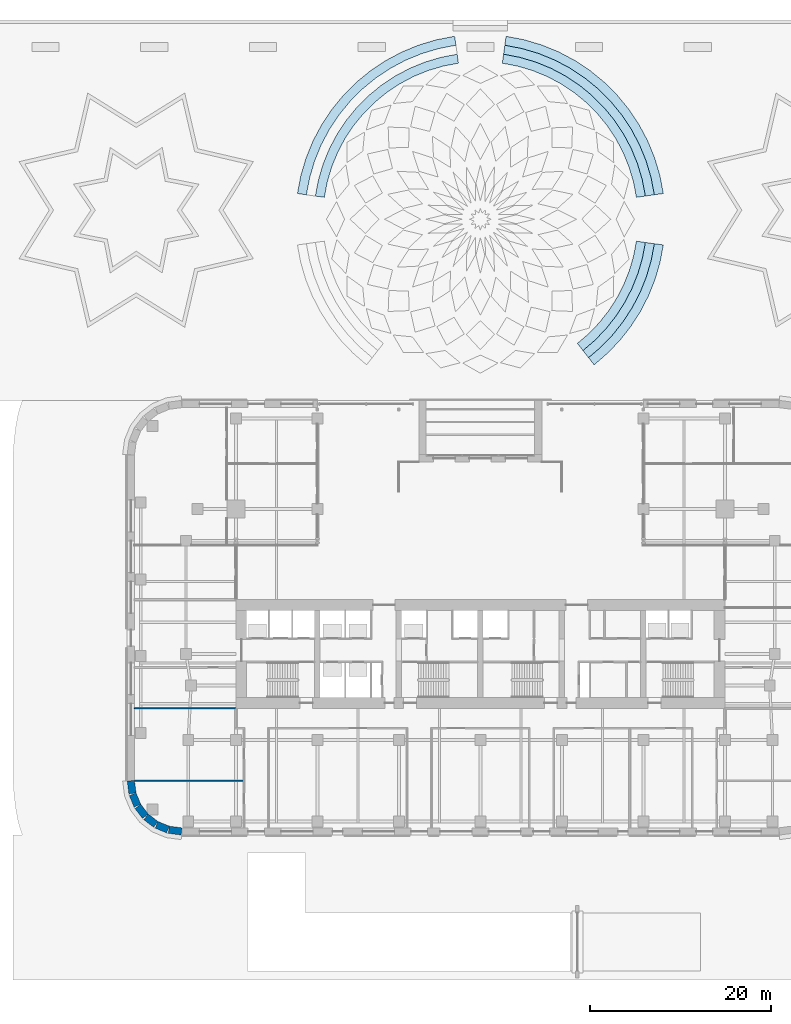
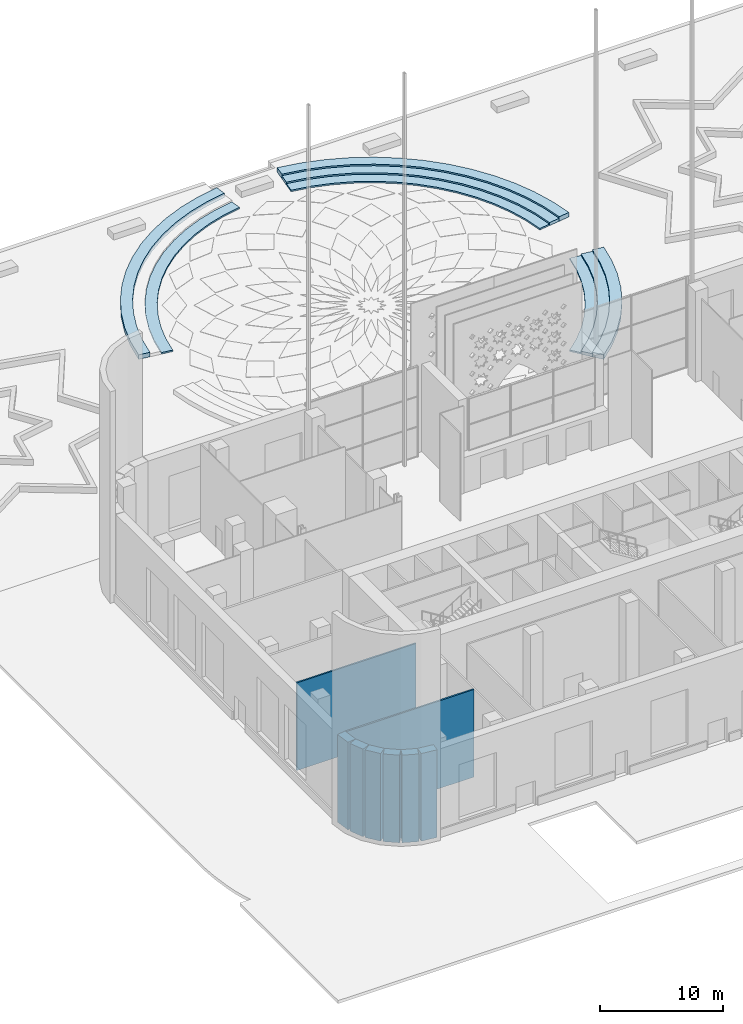
# One storey, part 9 of 23: 8 slabs, 8 walls.
"""IFC4 building model written with IfcOpenShell, lengths in metres."""

from ifc_helpers import new_model, si_unit, direction, frame, frame_2d, origin, place, context, subcontext, project, spatial, polyline, rectangle, outline, extrude, material, layer, layer_set, type_object, element, save


model = new_model("IFC4")

# Units and contexts
model_context = context("Model", 3, precision=1e-05, world=origin(), true_north=direction((0.0, 1.0)))
body_context = subcontext(model_context, "Body", "Model", "MODEL_VIEW")
ifc_project = project(units=[si_unit("LENGTHUNIT", "METRE"), si_unit("AREAUNIT", "SQUARE_METRE"), si_unit("VOLUMEUNIT", "CUBIC_METRE"), si_unit("PLANEANGLEUNIT", "RADIAN"), si_unit("MASSUNIT", "GRAM", prefix="KILO")], contexts=[model_context])

# Site, building, storey
site_placement = place(None, origin())
site = spatial("IfcSite", under=ifc_project, at=site_placement, CompositionType="ELEMENT")
building_placement = place(site_placement, origin())
building = spatial("IfcBuilding", under=site, at=building_placement, Name="Zellij Exchange Tower", CompositionType="ELEMENT")
storey_placement = place(building_placement, origin())
storey = spatial("IfcBuildingStorey", under=building, at=storey_placement, Name="L00", CompositionType="ELEMENT", Elevation=0.0)

# Slabs
ifc_material_1 = material(Name="Limestone paving", Category="masonry")
ifc_layer_1 = layer(ifc_material_1, 0.14990234375)
ifc_layer_set_1 = layer_set([ifc_layer_1], Name="Limestone paving")
slab_type_1 = type_object("IfcSlabType", Name="ENV-PV5 Seat step paving 150", PredefinedType="USERDEFINED", material=ifc_layer_set_1)
slab_1_placement = place(storey_placement, origin())
element("IfcSlab", 1, at=slab_1_placement, inside=storey, type_object=slab_type_1, Name="Plaza seat step", ObjectType="PAVING", PredefinedType="USERDEFINED", context=body_context, shape_type="SweptSolid", body=[
    extrude(outline(polyline([(11.328125, 25.50048828125), (12.665771484375, 26.653076171875), (13.88671875, 27.928466796875), (14.979736328125, 29.315185546875), (15.934814453125, 30.800048828125), (16.743408203125, 32.36962890625), (17.3974609375, 34.009521484375), (17.8916015625, 35.70458984375), (18.220947265625, 37.439208984375), (17.230712890625, 37.578369140625), (16.919189453125, 35.93798828125), (16.451904296875, 34.335205078125), (15.833251953125, 32.7841796875), (15.06884765625, 31.300048828125), (14.16552734375, 29.895751953125), (13.1318359375, 28.584716796875), (11.977294921875, 27.37841796875), (10.71240234375, 26.28857421875), (11.328125, 25.50048828125)])), origin(), (0.0, 0.0, 1.0), 0.14990234375),
])
slab_2_placement = place(storey_placement, origin())
element("IfcSlab", 2, at=slab_2_placement, inside=storey, type_object=slab_type_1, Name="Plaza seat step", ObjectType="PAVING", PredefinedType="USERDEFINED", context=body_context, shape_type="SweptSolid", body=[
    extrude(outline(polyline([(18.220947265625, 42.560791015625), (17.877197265625, 44.35546875), (17.35693359375, 46.107177734375), (16.66552734375, 47.798583984375), (15.809814453125, 49.4130859375), (14.79833984375, 50.934814453125), (13.640869140625, 52.3486328125), (12.3486328125, 53.640869140625), (10.934814453125, 54.79833984375), (9.4130859375, 55.809814453125), (7.798583984375, 56.66552734375), (6.107177734375, 57.35693359375), (4.35546875, 57.877197265625), (2.560791015625, 58.220947265625), (2.421630859375, 57.230712890625), (4.11865234375, 56.905517578125), (5.775146484375, 56.41357421875), (7.374755859375, 55.760009765625), (8.901611328125, 54.95068359375), (10.340576171875, 53.994140625), (11.677490234375, 52.8994140625), (12.8994140625, 51.677490234375), (13.994140625, 50.340576171875), (14.95068359375, 48.901611328125), (15.760009765625, 47.374755859375), (16.41357421875, 45.775146484375), (16.905517578125, 44.11865234375), (17.230712890625, 42.421630859375), (18.220947265625, 42.560791015625)])), origin(), (0.0, 0.0, 1.0), 0.14990234375),
])
slab_3_placement = place(storey_placement, origin())
element("IfcSlab", 3, at=slab_3_placement, inside=storey, type_object=slab_type_1, Name="Plaza seat step", ObjectType="PAVING", PredefinedType="USERDEFINED", context=body_context, shape_type="SweptSolid", body=[
    extrude(outline(polyline([(-2.560791015625, 58.220947265625), (-4.35546875, 57.877197265625), (-6.107177734375, 57.35693359375), (-7.798583984375, 56.66552734375), (-9.4130859375, 55.809814453125), (-10.934814453125, 54.79833984375), (-12.3486328125, 53.640869140625), (-13.640869140625, 52.3486328125), (-14.79833984375, 50.934814453125), (-15.809814453125, 49.4130859375), (-16.66552734375, 47.798583984375), (-17.35693359375, 46.107177734375), (-17.877197265625, 44.35546875), (-18.220947265625, 42.560791015625), (-17.230712890625, 42.421630859375), (-16.905517578125, 44.11865234375), (-16.41357421875, 45.775146484375), (-15.760009765625, 47.374755859375), (-14.95068359375, 48.901611328125), (-13.994140625, 50.340576171875), (-12.8994140625, 51.677490234375), (-11.677490234375, 52.8994140625), (-10.340576171875, 53.994140625), (-8.901611328125, 54.95068359375), (-7.374755859375, 55.760009765625), (-5.775146484375, 56.41357421875), (-4.11865234375, 56.905517578125), (-2.421630859375, 57.230712890625), (-2.560791015625, 58.220947265625)])), origin(), (0.0, 0.0, 1.0), 0.14990234375),
])
ifc_layer_2 = layer(ifc_material_1, 0.300048828125)
ifc_layer_set_2 = layer_set([ifc_layer_2], Name="Limestone paving")
slab_type_2 = type_object("IfcSlabType", Name="ENV-PV6 Seat step paving 300", PredefinedType="USERDEFINED", material=ifc_layer_set_2)
slab_4_placement = place(storey_placement, origin())
element("IfcSlab", 4, at=slab_4_placement, inside=storey, type_object=slab_type_2, Name="Plaza seat step", ObjectType="PAVING", PredefinedType="USERDEFINED", context=body_context, shape_type="SweptSolid", body=[
    extrude(outline(polyline([(11.94384765625, 24.712646484375), (13.35400390625, 25.927734375), (14.641357421875, 27.2724609375), (15.793701171875, 28.734375), (16.80078125, 30.300048828125), (17.6533203125, 31.955078125), (18.343017578125, 33.68408203125), (18.864013671875, 35.47119140625), (19.211181640625, 37.300048828125), (18.220947265625, 37.439208984375), (17.8916015625, 35.70458984375), (17.3974609375, 34.009521484375), (16.743408203125, 32.36962890625), (15.934814453125, 30.800048828125), (14.979736328125, 29.315185546875), (13.88671875, 27.928466796875), (12.665771484375, 26.653076171875), (11.328125, 25.50048828125), (11.94384765625, 24.712646484375)])), origin(), (0.0, 0.0, 1.0), 0.300048828125),
])
slab_5_placement = place(storey_placement, origin())
element("IfcSlab", 5, at=slab_5_placement, inside=storey, type_object=slab_type_2, Name="Plaza seat step", ObjectType="PAVING", PredefinedType="USERDEFINED", context=body_context, shape_type="SweptSolid", body=[
    extrude(outline(polyline([(19.211181640625, 42.699951171875), (18.8486328125, 44.592041015625), (18.30029296875, 46.43896484375), (17.5712890625, 48.222412109375), (16.669189453125, 49.9248046875), (15.6025390625, 51.529052734375), (14.382080078125, 53.019775390625), (13.019775390625, 54.382080078125), (11.529052734375, 55.6025390625), (9.9248046875, 56.669189453125), (8.222412109375, 57.5712890625), (6.43896484375, 58.30029296875), (4.592041015625, 58.8486328125), (2.699951171875, 59.211181640625), (2.560791015625, 58.220947265625), (4.35546875, 57.877197265625), (6.107177734375, 57.35693359375), (7.798583984375, 56.66552734375), (9.4130859375, 55.809814453125), (10.934814453125, 54.79833984375), (12.3486328125, 53.640869140625), (13.640869140625, 52.3486328125), (14.79833984375, 50.934814453125), (15.809814453125, 49.4130859375), (16.66552734375, 47.798583984375), (17.35693359375, 46.107177734375), (17.877197265625, 44.35546875), (18.220947265625, 42.560791015625), (19.211181640625, 42.699951171875)])), origin(), (0.0, 0.0, 1.0), 0.300048828125),
])
ifc_layer_3 = layer(ifc_material_1, 0.449951171875)
ifc_layer_set_3 = layer_set([ifc_layer_3], Name="Limestone paving")
slab_type_3 = type_object("IfcSlabType", Name="ENV-PV7 Seat step paving 450", PredefinedType="USERDEFINED", material=ifc_layer_set_3)
slab_6_placement = place(storey_placement, origin())
element("IfcSlab", 6, at=slab_6_placement, inside=storey, type_object=slab_type_3, Name="Plaza seat step", ObjectType="PAVING", PredefinedType="USERDEFINED", context=body_context, shape_type="SweptSolid", body=[
    extrude(outline(polyline([(12.5595703125, 23.924560546875), (14.04248046875, 25.202392578125), (15.39599609375, 26.616455078125), (16.60791015625, 28.15380859375), (17.6669921875, 29.800048828125), (18.563232421875, 31.540283203125), (19.28857421875, 33.3583984375), (19.836181640625, 35.23779296875), (20.201416015625, 37.160888671875), (19.211181640625, 37.300048828125), (18.864013671875, 35.47119140625), (18.343017578125, 33.68408203125), (17.6533203125, 31.955078125), (16.80078125, 30.300048828125), (15.793701171875, 28.734375), (14.641357421875, 27.2724609375), (13.35400390625, 25.927734375), (11.94384765625, 24.712646484375), (12.5595703125, 23.924560546875)])), origin(), (0.0, 0.0, 1.0), 0.449951171875),
])
slab_7_placement = place(storey_placement, origin())
element("IfcSlab", 7, at=slab_7_placement, inside=storey, type_object=slab_type_3, Name="Plaza seat step", ObjectType="PAVING", PredefinedType="USERDEFINED", context=body_context, shape_type="SweptSolid", body=[
    extrude(outline(polyline([(20.201416015625, 42.839111328125), (19.8203125, 44.828857421875), (19.24365234375, 46.77099609375), (18.47705078125, 48.646240234375), (17.5283203125, 50.436279296875), (16.40673828125, 52.123291015625), (15.123291015625, 53.69091796875), (13.69091796875, 55.123291015625), (12.123291015625, 56.40673828125), (10.436279296875, 57.5283203125), (8.646240234375, 58.47705078125), (6.77099609375, 59.24365234375), (4.828857421875, 59.8203125), (2.839111328125, 60.201416015625), (2.699951171875, 59.211181640625), (4.592041015625, 58.8486328125), (6.43896484375, 58.30029296875), (8.222412109375, 57.5712890625), (9.9248046875, 56.669189453125), (11.529052734375, 55.6025390625), (13.019775390625, 54.382080078125), (14.382080078125, 53.019775390625), (15.6025390625, 51.529052734375), (16.669189453125, 49.9248046875), (17.5712890625, 48.222412109375), (18.30029296875, 46.43896484375), (18.8486328125, 44.592041015625), (19.211181640625, 42.699951171875), (20.201416015625, 42.839111328125)])), origin(), (0.0, 0.0, 1.0), 0.449951171875),
])
slab_8_placement = place(storey_placement, origin())
element("IfcSlab", 8, at=slab_8_placement, inside=storey, type_object=slab_type_3, Name="Plaza seat step", ObjectType="PAVING", PredefinedType="USERDEFINED", context=body_context, shape_type="SweptSolid", body=[
    extrude(outline(polyline([(-2.839111328125, 60.201416015625), (-4.828857421875, 59.8203125), (-6.77099609375, 59.24365234375), (-8.646240234375, 58.47705078125), (-10.436279296875, 57.5283203125), (-12.123291015625, 56.40673828125), (-13.69091796875, 55.123291015625), (-15.123291015625, 53.69091796875), (-16.40673828125, 52.123291015625), (-17.5283203125, 50.436279296875), (-18.47705078125, 48.646240234375), (-19.24365234375, 46.77099609375), (-19.8203125, 44.828857421875), (-20.201416015625, 42.839111328125), (-19.211181640625, 42.699951171875), (-18.8486328125, 44.592041015625), (-18.30029296875, 46.43896484375), (-17.5712890625, 48.222412109375), (-16.669189453125, 49.9248046875), (-15.6025390625, 51.529052734375), (-14.382080078125, 53.019775390625), (-13.019775390625, 54.382080078125), (-11.529052734375, 55.6025390625), (-9.9248046875, 56.669189453125), (-8.222412109375, 57.5712890625), (-6.43896484375, 58.30029296875), (-4.592041015625, 58.8486328125), (-2.699951171875, 59.211181640625), (-2.839111328125, 60.201416015625)])), origin(), (0.0, 0.0, 1.0), 0.449951171875),
])

# Walls
ifc_material_2 = material(Name="Precast concrete C40/50", Category="concrete")
ifc_layer_4 = layer(ifc_material_2, 0.800048828125)
ifc_layer_set_4 = layer_set([ifc_layer_4], Name="Precast concrete C40/50")
wall_type_1 = type_object("IfcWallType", Name="ENV-EW1 Precast stone-piered wall 800", PredefinedType="SOLIDWALL", material=ifc_layer_set_4)
wall_1_placement = place(storey_placement, frame((-38.5966796875, -21.999755859375, 0.0), z_axis=(0.0, 0.0, 1.0), x_axis=(0.130517283865, -0.99144603414, 0.0)))
element("IfcWall", 9, at=wall_1_placement, inside=storey, type_object=wall_type_1, Name="fac.L00.22", PredefinedType="SOLIDWALL", context=body_context, shape_type="SweptSolid", body=[
    extrude(rectangle(XDim=1.408447265625, YDim=0.800048828125, at=frame_2d((0.7041015625, 0.0))), origin(), (0.0, 0.0, 1.0), 8.699951171875),
])
wall_2_placement = place(storey_placement, frame((-38.3857421875, -23.497314453125, 0.0), z_axis=(0.0, 0.0, 1.0), x_axis=(0.38276009378, -0.923847774587, 0.0)))
element("IfcWall", 10, at=wall_2_placement, inside=storey, type_object=wall_type_1, Name="fac.L00.23", PredefinedType="SOLIDWALL", context=body_context, shape_type="SweptSolid", body=[
    extrude(rectangle(XDim=1.35546875, YDim=0.800048828125, at=frame_2d((0.677734375, 0.0))), origin(), (0.0, 0.0, 1.0), 8.699951171875),
])
for number, where, z_axis, x_axis, name in (
    (11, (-37.814697265625, -24.840087890625, 0.0), (0.0, 0.0, 1.0), (0.608866226366, -0.793272915452, 0.0), "fac.L00.24"),
    (12, (-36.91552734375, -25.9892578125, 0.0), (0.0, 0.0, 1.0), (0.793272915452, -0.608866226366, 0.0), "fac.L00.25"),
):
    element("IfcWall", number, at=place(storey_placement, frame(where, z_axis=z_axis, x_axis=x_axis)), inside=storey, type_object=wall_type_1, Name=name, PredefinedType="SOLIDWALL", context=body_context, shape_type="SweptSolid", body=[
        extrude(rectangle(XDim=1.355712890625, YDim=0.800048828125, at=frame_2d((0.677734375, 0.0))), origin(), (0.0, 0.0, 1.0), 8.699951171875),
    ])
wall_3_placement = place(storey_placement, frame((-35.74951171875, -26.866943359375, 0.0), z_axis=(0.0, 0.0, 1.0), x_axis=(0.923847774587, -0.38276009378, 0.0)))
element("IfcWall", 13, at=wall_3_placement, inside=storey, type_object=wall_type_1, Name="fac.L00.26", PredefinedType="SOLIDWALL", context=body_context, shape_type="SweptSolid", body=[
    extrude(rectangle(XDim=1.35546875, YDim=0.800048828125, at=frame_2d((0.677734375, 0.0))), origin(), (0.0, 0.0, 1.0), 8.699951171875),
])
wall_4_placement = place(storey_placement, frame((-34.396240234375, -27.412841796875, 0.0), z_axis=(0.0, 0.0, 1.0), x_axis=(0.99144603414, -0.130517283865, 0.0)))
element("IfcWall", 14, at=wall_4_placement, inside=storey, type_object=wall_type_1, Name="fac.L00.27", PredefinedType="SOLIDWALL", context=body_context, shape_type="SweptSolid", body=[
    extrude(rectangle(XDim=1.408447265625, YDim=0.800048828125, at=frame_2d((0.7041015625, 0.0))), origin(), (0.0, 0.0, 1.0), 8.699951171875),
])
ifc_material_3 = material(Name="Gypsum board shaft-wall partition", Category="gypsum")
ifc_layer_5 = layer(ifc_material_3, 0.14990234375)
ifc_layer_set_5 = layer_set([ifc_layer_5], Name="Gypsum board shaft-wall partition")
wall_type_2 = type_object("IfcWallType", Name="FIT-PARTITION-150-EI60", PredefinedType="PARTITIONING", material=ifc_layer_set_5)
wall_5_placement = place(storey_placement, frame((-38.179931640625, -22.0, 0.0), z_axis=(0.0, 0.0, 1.0), x_axis=(1.0, 0.0, 0.0)))
element("IfcWall", 15, at=wall_5_placement, inside=storey, type_object=wall_type_2, Name="FIT-PARTITION-150-EI60 010", PredefinedType="PARTITIONING", context=body_context, shape_type="SweptSolid", body=[
    extrude(rectangle(XDim=12.0048828125, YDim=0.14990234375, at=frame_2d((6.00244140625, 0.0))), origin(), (0.0, 0.0, 1.0), 8.699951171875),
])
wall_6_placement = place(storey_placement, frame((-38.199951171875, -14.0, 0.0), z_axis=(0.0, 0.0, 1.0), x_axis=(1.0, 0.0, 0.0)))
element("IfcWall", 16, at=wall_6_placement, inside=storey, type_object=wall_type_2, Name="FIT-PARTITION-150-EI60 019", PredefinedType="PARTITIONING", context=body_context, shape_type="SweptSolid", body=[
    extrude(rectangle(XDim=11.195068359375, YDim=0.14990234375, at=frame_2d((5.59765625, 0.0))), origin(), (0.0, 0.0, 1.0), 8.699951171875),
])

save(model, "model.ifc")
